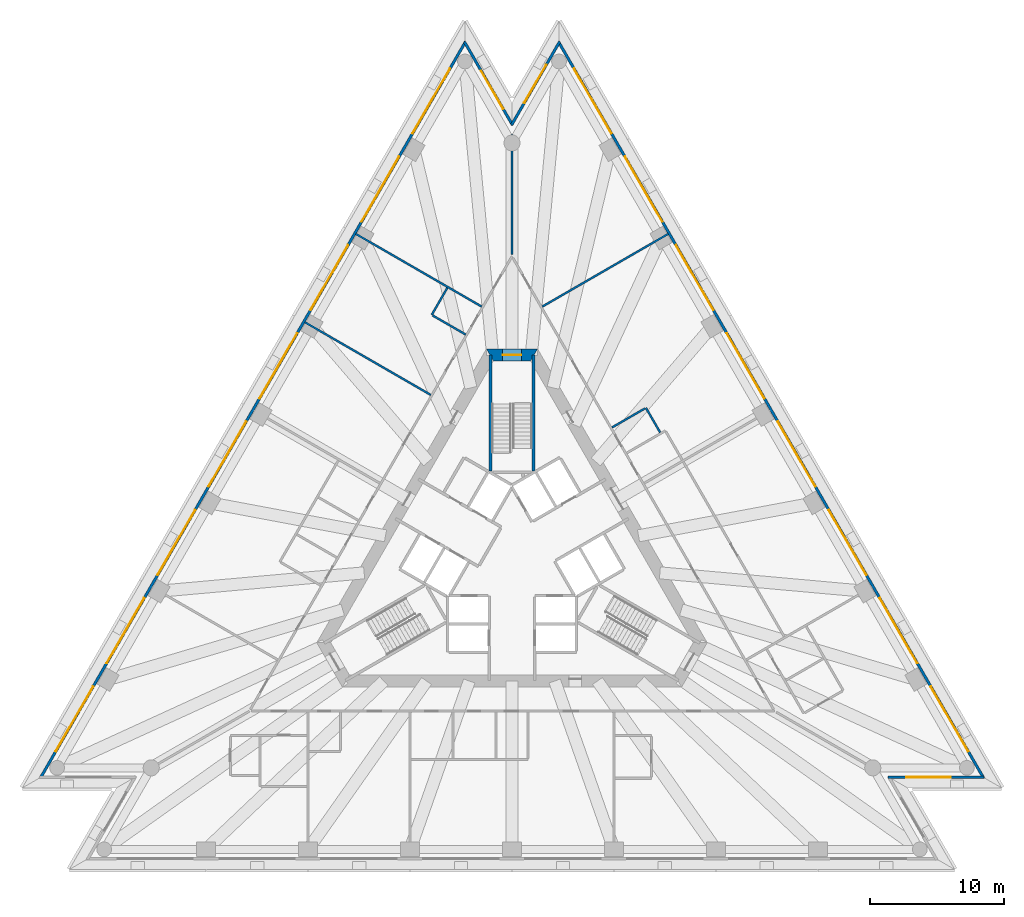
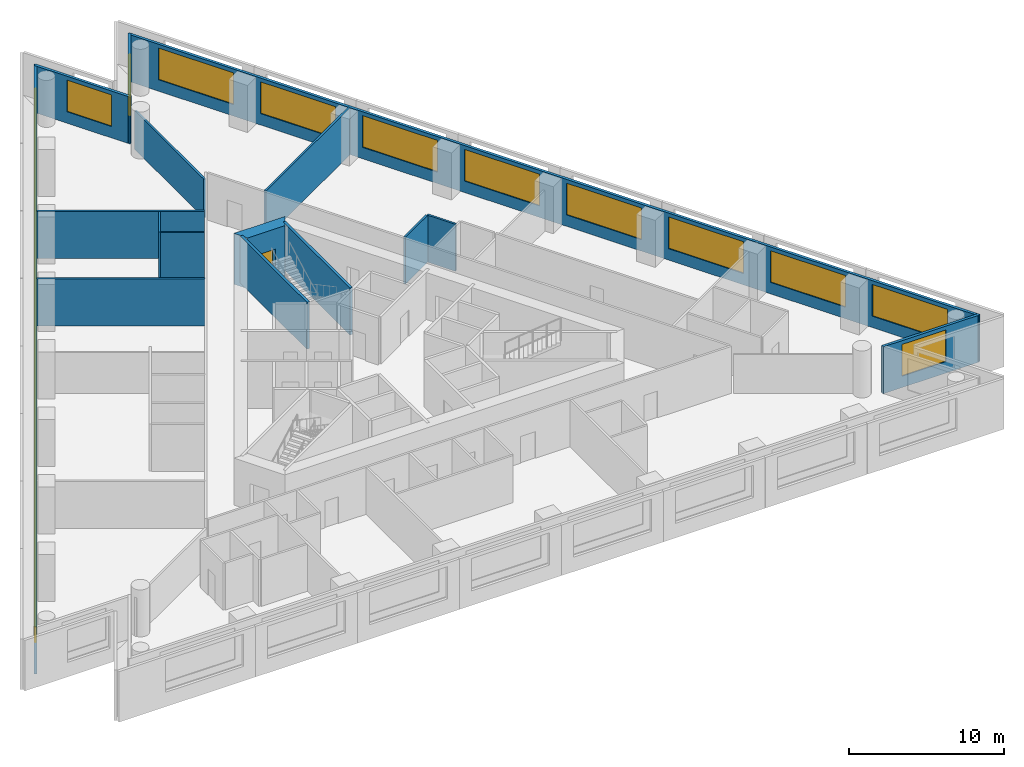
# One storey, part 8 of 11: 19 windows, 16 walls, 1 door, 20 openings.
"""IFC4 building model written with IfcOpenShell, lengths in metres."""

from ifc_helpers import new_model, si_unit, direction, frame, frame_2d, origin, place, context, subcontext, project, spatial, polyline, rectangle, outline, extrude, material, layer, layer_set, layer_usage, type_object, element, fill, save


model = new_model("IFC4")

# Units and contexts
model_context = context("Model", 3, precision=1e-05, world=origin(), true_north=direction((0.0, 1.0)))
body_context = subcontext(model_context, "Body", "Model", "MODEL_VIEW")
ifc_project = project(units=[si_unit("LENGTHUNIT", "METRE"), si_unit("AREAUNIT", "SQUARE_METRE"), si_unit("VOLUMEUNIT", "CUBIC_METRE"), si_unit("PLANEANGLEUNIT", "RADIAN"), si_unit("MASSUNIT", "GRAM", prefix="KILO")], contexts=[model_context])

# Site, building, storey
site_placement = place(None, origin())
site = spatial("IfcSite", under=ifc_project, at=site_placement, CompositionType="ELEMENT")
building_placement = place(site_placement, origin())
building = spatial("IfcBuilding", under=site, at=building_placement, Name="Triada Interchange Tower", CompositionType="ELEMENT")
storey_placement = place(building_placement, frame((0.0, 0.0, 39.300048828125)))
storey = spatial("IfcBuildingStorey", under=building, at=storey_placement, Name="L07", CompositionType="ELEMENT", Elevation=39.300048828125)

# Walls
ifc_material_1 = material(Name="Concrete C30/37", Category="concrete")
ifc_layer_1 = layer(ifc_material_1, 0.199951171875)
ifc_layer_set_1 = layer_set([ifc_layer_1], Name="CORE WALL 200 REI 240")
wall_type_1 = type_object("IfcWallType", Name="CORE WALL 200 REI 240", PredefinedType="SOLIDWALL", material=ifc_layer_set_1)
for number, where, z_axis, x_axis, name in (
    (1, (1.60009765625, 6.614990234375, 0.0), (0.0, 0.0, 1.0), (0.0, 1.0, 0.0), "Wall L06 87"),
    (2, (-1.60009765625, 6.614990234375, 0.0), (0.0, 0.0, 1.0), (0.0, 1.0, 0.0), "Wall L06 89"),
):
    element("IfcWall", number, at=place(storey_placement, frame(where, z_axis=z_axis, x_axis=x_axis)), inside=storey, type_object=wall_type_1, Name=name, PredefinedType="SOLIDWALL", context=body_context, shape_type="SweptSolid", body=[
        extrude(rectangle(XDim=8.614990234375, YDim=0.199951171875, at=frame_2d((4.3076171875, 0.0))), origin(), (0.0, 0.0, 1.0), 3.699951171875),
    ])

# Wall, opening, door
ifc_material_2 = material(Name="Concrete C70/85", Category="concrete")
ifc_layer_2 = layer(ifc_material_2, 0.89990234375)
ifc_layer_set_2 = layer_set([ifc_layer_2], Name="Core wall A 900")
wall_type_2 = type_object("IfcWallType", Name="Core wall A 900", PredefinedType="SHEAR", material=ifc_layer_set_2)
wall_1_placement = place(storey_placement, frame((1.64501953125, 15.25, -0.300048828125), z_axis=(0.0, 0.0, 1.0), x_axis=(-1.0, 0.0, 0.0)))
wall_1 = element("IfcWall", 3, at=wall_1_placement, inside=storey, type_object=wall_type_2, Name="Core wall WA01 L07", PredefinedType="SHEAR", context=body_context, shape_type="SweptSolid", body=[
    extrude(outline(polyline([(-0.260009765625, -0.449951171875), (1.64501953125, -0.449951171875), (3.550048828125, -0.449951171875), (3.031005859375, 0.449951171875), (1.64501953125, 0.449951171875), (0.259033203125, 0.449951171875), (-0.260009765625, -0.449951171875)])), origin(), (0.0, 0.0, 1.0), 4.0),
])
opening_1_placement = place(wall_1_placement, frame((0.945068359375, 0.0, 0.300048828125)))
opening_1 = element("IfcOpeningElement", 4, at=opening_1_placement, cuts=wall_1, Name="Opening D06-41", PredefinedType="OPENING", context=body_context, shape_type="SweptSolid", body=[
    extrude(rectangle(XDim=1.39990234375, YDim=2.10009765625, at=frame_2d((0.699951171875, 1.050048828125))), frame((0.0, 0.4599609375, 0.0), z_axis=(0.0, -1.0, 0.0), x_axis=(1.0, 0.0, 0.0)), (0.0, 0.0, 1.0), 0.919921875),
])
ifc_material_3 = material(Name="Steel S235 door leaf", Category="steel")
door_type = type_object("IfcDoorType", Name="STAIR DOOR 1400 EI2 90-C5S200", OperationType="DOUBLE_DOOR_SINGLE_SWING", PredefinedType="DOOR", material=ifc_material_3)
door_placement = place(opening_1_placement, origin())
door = element("IfcDoor", 5, at=door_placement, inside=storey, type_object=door_type, Name="Door D06-41 L07", OperationType="DOUBLE_DOOR_SINGLE_SWING", OverallHeight=2.10009765625, OverallWidth=1.39990234375, PredefinedType="DOOR", context=body_context, shape_type="SweptSolid", body=[
    extrude(rectangle(XDim=1.39990234375, YDim=2.10009765625, at=frame_2d((0.699951171875, 1.050048828125))), frame((0.0, 0.02490234375, 0.0), z_axis=(0.0, -1.0, 0.0), x_axis=(1.0, 0.0, 0.0)), (0.0, 0.0, 1.0), 0.050048828125),
])
fill(opening_1, door)

# Wall, openings, windows
ifc_material_4 = material(Name="Cement board")
ifc_layer_3 = layer(ifc_material_4, 0.02001953125, Name="Cement board cladding")
ifc_material_5 = material(Name="Sheathing board")
ifc_layer_4 = layer(ifc_material_5, 0.014892578125, Name="Sheathing board")
ifc_material_6 = material(Name="Mineral wool")
ifc_layer_5 = layer(ifc_material_6, 0.14990234375, Name="Mineral wool between steel studs")
ifc_material_7 = material(Name="Gypsum board")
ifc_layer_6 = layer(ifc_material_7, 0.014892578125, Name="Plasterboard lining")
ifc_layer_set_3 = layer_set([ifc_layer_3, ifc_layer_4, ifc_layer_5, ifc_layer_6], Name="External wall 200")
ifc_layer_usage = layer_usage(ifc_layer_set_3, "AXIS2", "POSITIVE", -0.10009765625)
wall_type_3 = type_object("IfcWallType", Name="External wall 200", PredefinedType="ELEMENTEDWALL", material=ifc_layer_set_3)
wall_2_placement = place(storey_placement, frame((-3.4619140625, 38.60302734375, 0.0), z_axis=(0.0, 0.0, 1.0), x_axis=(-0.500012207976, -0.866018355391, 0.0)))
wall_2 = element("IfcWall", 6, at=wall_2_placement, inside=storey, type_object=wall_type_3, material=ifc_layer_usage, Name="External wall L07 NW", PredefinedType="ELEMENTEDWALL", context=body_context, shape_type="SweptSolid", body=[
    extrude(rectangle(XDim=63.380859375, YDim=0.199951171875, at=frame_2d((31.6904296875, 0.0))), origin(), (0.0, 0.0, 1.0), 3.699951171875),
])
opening_2_placement = place(wall_2_placement, frame((2.302001953125, 0.0, 0.89990234375)))
opening_2 = element("IfcOpeningElement", 7, at=opening_2_placement, cuts=wall_2, Name="Opening WA01", PredefinedType="OPENING", context=body_context, shape_type="SweptSolid", body=[
    extrude(rectangle(XDim=5.60009765625, YDim=2.5, at=frame_2d((2.800048828125, 1.25))), frame((0.0, 0.10986328125, 0.0), z_axis=(0.0, -1.0, 0.0), x_axis=(1.0, 0.0, 0.0)), (0.0, 0.0, 1.0), 0.219970703125),
])
opening_3_placement = place(wall_2_placement, frame((9.902099609375, 0.0, 0.89990234375)))
opening_3 = element("IfcOpeningElement", 8, at=opening_3_placement, cuts=wall_2, Name="Opening WA02", PredefinedType="OPENING", context=body_context, shape_type="SweptSolid", body=[
    extrude(rectangle(XDim=5.60009765625, YDim=2.5, at=frame_2d((2.800048828125, 1.25))), frame((0.0, 0.10986328125, 0.0), z_axis=(0.0, -1.0, 0.0), x_axis=(1.0, 0.0, 0.0)), (0.0, 0.0, 1.0), 0.219970703125),
])
opening_4_placement = place(wall_2_placement, frame((17.5009765625, 0.0, 0.89990234375)))
opening_4 = element("IfcOpeningElement", 9, at=opening_4_placement, cuts=wall_2, Name="Opening WA03", PredefinedType="OPENING", context=body_context, shape_type="SweptSolid", body=[
    extrude(rectangle(XDim=5.60009765625, YDim=2.5, at=frame_2d((2.800048828125, 1.25))), frame((0.0, 0.10986328125, 0.0), z_axis=(0.0, -1.0, 0.0), x_axis=(1.0, 0.0, 0.0)), (0.0, 0.0, 1.0), 0.219970703125),
])
opening_5_placement = place(wall_2_placement, frame((25.10009765625, 0.0, 0.89990234375)))
opening_5 = element("IfcOpeningElement", 10, at=opening_5_placement, cuts=wall_2, Name="Opening WA04", PredefinedType="OPENING", context=body_context, shape_type="SweptSolid", body=[
    extrude(rectangle(XDim=5.60009765625, YDim=2.5, at=frame_2d((2.800048828125, 1.25))), frame((0.0, 0.10986328125, 0.0), z_axis=(0.0, -1.0, 0.0), x_axis=(1.0, 0.0, 0.0)), (0.0, 0.0, 1.0), 0.219970703125),
])
opening_6_placement = place(wall_2_placement, frame((32.699951171875, 0.0, 0.89990234375)))
opening_6 = element("IfcOpeningElement", 11, at=opening_6_placement, cuts=wall_2, Name="Opening WA05", PredefinedType="OPENING", context=body_context, shape_type="SweptSolid", body=[
    extrude(rectangle(XDim=5.60009765625, YDim=2.5, at=frame_2d((2.800048828125, 1.25))), frame((0.0, 0.10986328125, 0.0), z_axis=(0.0, -1.0, 0.0), x_axis=(1.0, 0.0, 0.0)), (0.0, 0.0, 1.0), 0.219970703125),
])
opening_7_placement = place(wall_2_placement, frame((40.299072265625, 0.0, 0.89990234375)))
opening_7 = element("IfcOpeningElement", 12, at=opening_7_placement, cuts=wall_2, Name="Opening WA06", PredefinedType="OPENING", context=body_context, shape_type="SweptSolid", body=[
    extrude(rectangle(XDim=5.60009765625, YDim=2.5, at=frame_2d((2.800048828125, 1.25))), frame((0.0, 0.10986328125, 0.0), z_axis=(0.0, -1.0, 0.0), x_axis=(1.0, 0.0, 0.0)), (0.0, 0.0, 1.0), 0.219970703125),
])
opening_8_placement = place(wall_2_placement, frame((47.89892578125, 0.0, 0.89990234375)))
opening_8 = element("IfcOpeningElement", 13, at=opening_8_placement, cuts=wall_2, Name="Opening WA07", PredefinedType="OPENING", context=body_context, shape_type="SweptSolid", body=[
    extrude(rectangle(XDim=5.60009765625, YDim=2.5, at=frame_2d((2.800048828125, 1.25))), frame((0.0, 0.10986328125, 0.0), z_axis=(0.0, -1.0, 0.0), x_axis=(1.0, 0.0, 0.0)), (0.0, 0.0, 1.0), 0.219970703125),
])
opening_9_placement = place(wall_2_placement, frame((55.498046875, 0.0, 0.89990234375)))
opening_9 = element("IfcOpeningElement", 14, at=opening_9_placement, cuts=wall_2, Name="Opening WA08", PredefinedType="OPENING", context=body_context, shape_type="SweptSolid", body=[
    extrude(rectangle(XDim=5.60009765625, YDim=2.5, at=frame_2d((2.800048828125, 1.25))), frame((0.0, 0.10986328125, 0.0), z_axis=(0.0, -1.0, 0.0), x_axis=(1.0, 0.0, 0.0)), (0.0, 0.0, 1.0), 0.219970703125),
])
ifc_material_8 = material(Name="Double glazed aluminium window", Category="aluminium")
window_type_1 = type_object("IfcWindowType", Name="Ribbon window A face", PartitioningType="SINGLE_PANEL", PredefinedType="WINDOW", material=ifc_material_8)
window_1_placement = place(opening_2_placement, origin())
window_1 = element("IfcWindow", 15, at=window_1_placement, inside=storey, type_object=window_type_1, Name="Window L07 NW 1", OverallHeight=2.5, OverallWidth=5.60009765625, PartitioningType="SINGLE_PANEL", PredefinedType="WINDOW", context=body_context, shape_type="SweptSolid", body=[
    extrude(rectangle(XDim=5.60009765625, YDim=2.5, at=frame_2d((2.800048828125, 1.25))), frame((0.0, 0.030029296875, 0.0), z_axis=(0.0, -1.0, 0.0), x_axis=(1.0, 0.0, 0.0)), (0.0, 0.0, 1.0), 0.06005859375),
])
fill(opening_2, window_1)
window_2_placement = place(opening_3_placement, origin())
window_2 = element("IfcWindow", 16, at=window_2_placement, inside=storey, type_object=window_type_1, Name="Window L07 NW 2", OverallHeight=2.5, OverallWidth=5.60009765625, PartitioningType="SINGLE_PANEL", PredefinedType="WINDOW", context=body_context, shape_type="SweptSolid", body=[
    extrude(rectangle(XDim=5.60009765625, YDim=2.5, at=frame_2d((2.800048828125, 1.25))), frame((0.0, 0.030029296875, 0.0), z_axis=(0.0, -1.0, 0.0), x_axis=(1.0, 0.0, 0.0)), (0.0, 0.0, 1.0), 0.06005859375),
])
fill(opening_3, window_2)
window_3_placement = place(opening_4_placement, origin())
window_3 = element("IfcWindow", 17, at=window_3_placement, inside=storey, type_object=window_type_1, Name="Window L07 NW 3", OverallHeight=2.5, OverallWidth=5.60009765625, PartitioningType="SINGLE_PANEL", PredefinedType="WINDOW", context=body_context, shape_type="SweptSolid", body=[
    extrude(rectangle(XDim=5.60009765625, YDim=2.5, at=frame_2d((2.800048828125, 1.25))), frame((0.0, 0.030029296875, 0.0), z_axis=(0.0, -1.0, 0.0), x_axis=(1.0, 0.0, 0.0)), (0.0, 0.0, 1.0), 0.06005859375),
])
fill(opening_4, window_3)
window_4_placement = place(opening_5_placement, origin())
window_4 = element("IfcWindow", 18, at=window_4_placement, inside=storey, type_object=window_type_1, Name="Window L07 NW 4", OverallHeight=2.5, OverallWidth=5.60009765625, PartitioningType="SINGLE_PANEL", PredefinedType="WINDOW", context=body_context, shape_type="SweptSolid", body=[
    extrude(rectangle(XDim=5.60009765625, YDim=2.5, at=frame_2d((2.800048828125, 1.25))), frame((0.0, 0.030029296875, 0.0), z_axis=(0.0, -1.0, 0.0), x_axis=(1.0, 0.0, 0.0)), (0.0, 0.0, 1.0), 0.06005859375),
])
fill(opening_5, window_4)
window_5_placement = place(opening_6_placement, origin())
window_5 = element("IfcWindow", 19, at=window_5_placement, inside=storey, type_object=window_type_1, Name="Window L07 NW 5", OverallHeight=2.5, OverallWidth=5.60009765625, PartitioningType="SINGLE_PANEL", PredefinedType="WINDOW", context=body_context, shape_type="SweptSolid", body=[
    extrude(rectangle(XDim=5.60009765625, YDim=2.5, at=frame_2d((2.800048828125, 1.25))), frame((0.0, 0.030029296875, 0.0), z_axis=(0.0, -1.0, 0.0), x_axis=(1.0, 0.0, 0.0)), (0.0, 0.0, 1.0), 0.06005859375),
])
fill(opening_6, window_5)
window_6_placement = place(opening_7_placement, origin())
window_6 = element("IfcWindow", 20, at=window_6_placement, inside=storey, type_object=window_type_1, Name="Window L07 NW 6", OverallHeight=2.5, OverallWidth=5.60009765625, PartitioningType="SINGLE_PANEL", PredefinedType="WINDOW", context=body_context, shape_type="SweptSolid", body=[
    extrude(rectangle(XDim=5.60009765625, YDim=2.5, at=frame_2d((2.800048828125, 1.25))), frame((0.0, 0.030029296875, 0.0), z_axis=(0.0, -1.0, 0.0), x_axis=(1.0, 0.0, 0.0)), (0.0, 0.0, 1.0), 0.06005859375),
])
fill(opening_7, window_6)
window_7_placement = place(opening_8_placement, origin())
window_7 = element("IfcWindow", 21, at=window_7_placement, inside=storey, type_object=window_type_1, Name="Window L07 NW 7", OverallHeight=2.5, OverallWidth=5.60009765625, PartitioningType="SINGLE_PANEL", PredefinedType="WINDOW", context=body_context, shape_type="SweptSolid", body=[
    extrude(rectangle(XDim=5.60009765625, YDim=2.5, at=frame_2d((2.800048828125, 1.25))), frame((0.0, 0.030029296875, 0.0), z_axis=(0.0, -1.0, 0.0), x_axis=(1.0, 0.0, 0.0)), (0.0, 0.0, 1.0), 0.06005859375),
])
fill(opening_8, window_7)
window_8_placement = place(opening_9_placement, origin())
window_8 = element("IfcWindow", 22, at=window_8_placement, inside=storey, type_object=window_type_1, Name="Window L07 NW 8", OverallHeight=2.5, OverallWidth=5.60009765625, PartitioningType="SINGLE_PANEL", PredefinedType="WINDOW", context=body_context, shape_type="SweptSolid", body=[
    extrude(rectangle(XDim=5.60009765625, YDim=2.5, at=frame_2d((2.800048828125, 1.25))), frame((0.0, 0.030029296875, 0.0), z_axis=(0.0, -1.0, 0.0), x_axis=(1.0, 0.0, 0.0)), (0.0, 0.0, 1.0), 0.06005859375),
])
fill(opening_9, window_8)

# Wall, opening, window
wall_3_placement = place(storey_placement, frame((28.012939453125, -16.22509765625, 0.0), z_axis=(0.0, 0.0, 1.0), x_axis=(1.0, 0.0, 0.0)))
wall_3 = element("IfcWall", 23, at=wall_3_placement, inside=storey, type_object=wall_type_3, material=ifc_layer_usage, Name="External wall L07 SE-2", PredefinedType="ELEMENTEDWALL", context=body_context, shape_type="SweptSolid", body=[
    extrude(rectangle(XDim=7.175048828125, YDim=0.199951171875, at=frame_2d((3.58740234375, 0.0))), origin(), (0.0, 0.0, 1.0), 3.699951171875),
])
opening_10_placement = place(wall_3_placement, frame((1.389892578125, 0.0, 0.89990234375)))
opening_10 = element("IfcOpeningElement", 24, at=opening_10_placement, cuts=wall_3, Name="Opening WA20", PredefinedType="OPENING", context=body_context, shape_type="SweptSolid", body=[
    extrude(rectangle(XDim=3.300048828125, YDim=2.5, at=frame_2d((1.64990234375, 1.25))), frame((0.0, 0.10986328125, 0.0), z_axis=(0.0, -1.0, 0.0), x_axis=(1.0, 0.0, 0.0)), (0.0, 0.0, 1.0), 0.219970703125),
])
window_type_2 = type_object("IfcWindowType", Name="Ribbon window A pocket", PartitioningType="SINGLE_PANEL", PredefinedType="WINDOW", material=ifc_material_8)
window_9_placement = place(opening_10_placement, origin())
window_9 = element("IfcWindow", 25, at=window_9_placement, inside=storey, type_object=window_type_2, Name="Window L07 SE-2 1", OverallHeight=2.5, OverallWidth=3.300048828125, PartitioningType="SINGLE_PANEL", PredefinedType="WINDOW", context=body_context, shape_type="SweptSolid", body=[
    extrude(rectangle(XDim=3.300048828125, YDim=2.5, at=frame_2d((1.64990234375, 1.25))), frame((0.0, 0.030029296875, 0.0), z_axis=(0.0, -1.0, 0.0), x_axis=(1.0, 0.0, 0.0)), (0.0, 0.0, 1.0), 0.06005859375),
])
fill(opening_10, window_9)

# Wall, openings, windows
wall_4_placement = place(storey_placement, frame((35.1630859375, -16.302978515625, 0.0), z_axis=(0.0, 0.0, 1.0), x_axis=(-0.500012207976, 0.866018355391, 0.0)))
wall_4 = element("IfcWall", 26, at=wall_4_placement, inside=storey, type_object=wall_type_3, material=ifc_layer_usage, Name="External wall L07 NE", PredefinedType="ELEMENTEDWALL", context=body_context, shape_type="SweptSolid", body=[
    extrude(rectangle(XDim=63.380859375, YDim=0.199951171875, at=frame_2d((31.6904296875, 0.0))), origin(), (0.0, 0.0, 1.0), 3.699951171875),
])
opening_11_placement = place(wall_4_placement, frame((2.302001953125, 0.0, 0.89990234375)))
opening_11 = element("IfcOpeningElement", 27, at=opening_11_placement, cuts=wall_4, Name="Opening WA21", PredefinedType="OPENING", context=body_context, shape_type="SweptSolid", body=[
    extrude(rectangle(XDim=5.60009765625, YDim=2.5, at=frame_2d((2.800048828125, 1.25))), frame((0.0, 0.10986328125, 0.0), z_axis=(0.0, -1.0, 0.0), x_axis=(1.0, 0.0, 0.0)), (0.0, 0.0, 1.0), 0.219970703125),
])
opening_12_placement = place(wall_4_placement, frame((9.902099609375, 0.0, 0.89990234375)))
opening_12 = element("IfcOpeningElement", 28, at=opening_12_placement, cuts=wall_4, Name="Opening WA22", PredefinedType="OPENING", context=body_context, shape_type="SweptSolid", body=[
    extrude(rectangle(XDim=5.60009765625, YDim=2.5, at=frame_2d((2.800048828125, 1.25))), frame((0.0, 0.10986328125, 0.0), z_axis=(0.0, -1.0, 0.0), x_axis=(1.0, 0.0, 0.0)), (0.0, 0.0, 1.0), 0.219970703125),
])
opening_13_placement = place(wall_4_placement, frame((17.5009765625, 0.0, 0.89990234375)))
opening_13 = element("IfcOpeningElement", 29, at=opening_13_placement, cuts=wall_4, Name="Opening WA23", PredefinedType="OPENING", context=body_context, shape_type="SweptSolid", body=[
    extrude(rectangle(XDim=5.60009765625, YDim=2.5, at=frame_2d((2.800048828125, 1.25))), frame((0.0, 0.10986328125, 0.0), z_axis=(0.0, -1.0, 0.0), x_axis=(1.0, 0.0, 0.0)), (0.0, 0.0, 1.0), 0.219970703125),
])
opening_14_placement = place(wall_4_placement, frame((25.10107421875, 0.0, 0.89990234375)))
opening_14 = element("IfcOpeningElement", 30, at=opening_14_placement, cuts=wall_4, Name="Opening WA24", PredefinedType="OPENING", context=body_context, shape_type="SweptSolid", body=[
    extrude(rectangle(XDim=5.60009765625, YDim=2.5, at=frame_2d((2.800048828125, 1.25))), frame((0.0, 0.10986328125, 0.0), z_axis=(0.0, -1.0, 0.0), x_axis=(1.0, 0.0, 0.0)), (0.0, 0.0, 1.0), 0.219970703125),
])
opening_15_placement = place(wall_4_placement, frame((32.699951171875, 0.0, 0.89990234375)))
opening_15 = element("IfcOpeningElement", 31, at=opening_15_placement, cuts=wall_4, Name="Opening WA25", PredefinedType="OPENING", context=body_context, shape_type="SweptSolid", body=[
    extrude(rectangle(XDim=5.60009765625, YDim=2.5, at=frame_2d((2.800048828125, 1.25))), frame((0.0, 0.10986328125, 0.0), z_axis=(0.0, -1.0, 0.0), x_axis=(1.0, 0.0, 0.0)), (0.0, 0.0, 1.0), 0.219970703125),
])
opening_16_placement = place(wall_4_placement, frame((40.299072265625, 0.0, 0.89990234375)))
opening_16 = element("IfcOpeningElement", 32, at=opening_16_placement, cuts=wall_4, Name="Opening WA26", PredefinedType="OPENING", context=body_context, shape_type="SweptSolid", body=[
    extrude(rectangle(XDim=5.60009765625, YDim=2.5, at=frame_2d((2.800048828125, 1.25))), frame((0.0, 0.10986328125, 0.0), z_axis=(0.0, -1.0, 0.0), x_axis=(1.0, 0.0, 0.0)), (0.0, 0.0, 1.0), 0.219970703125),
])
opening_17_placement = place(wall_4_placement, frame((47.89892578125, 0.0, 0.89990234375)))
opening_17 = element("IfcOpeningElement", 33, at=opening_17_placement, cuts=wall_4, Name="Opening WA27", PredefinedType="OPENING", context=body_context, shape_type="SweptSolid", body=[
    extrude(rectangle(XDim=5.60009765625, YDim=2.5, at=frame_2d((2.800048828125, 1.25))), frame((0.0, 0.10986328125, 0.0), z_axis=(0.0, -1.0, 0.0), x_axis=(1.0, 0.0, 0.0)), (0.0, 0.0, 1.0), 0.219970703125),
])
opening_18_placement = place(wall_4_placement, frame((55.498046875, 0.0, 0.89990234375)))
opening_18 = element("IfcOpeningElement", 34, at=opening_18_placement, cuts=wall_4, Name="Opening WA28", PredefinedType="OPENING", context=body_context, shape_type="SweptSolid", body=[
    extrude(rectangle(XDim=5.60009765625, YDim=2.5, at=frame_2d((2.800048828125, 1.25))), frame((0.0, 0.10986328125, 0.0), z_axis=(0.0, -1.0, 0.0), x_axis=(1.0, 0.0, 0.0)), (0.0, 0.0, 1.0), 0.219970703125),
])
window_10_placement = place(opening_11_placement, origin())
window_10 = element("IfcWindow", 35, at=window_10_placement, inside=storey, type_object=window_type_1, Name="Window L07 NE 1", OverallHeight=2.5, OverallWidth=5.60009765625, PartitioningType="SINGLE_PANEL", PredefinedType="WINDOW", context=body_context, shape_type="SweptSolid", body=[
    extrude(rectangle(XDim=5.60009765625, YDim=2.5, at=frame_2d((2.800048828125, 1.25))), frame((0.0, 0.030029296875, 0.0), z_axis=(0.0, -1.0, 0.0), x_axis=(1.0, 0.0, 0.0)), (0.0, 0.0, 1.0), 0.06005859375),
])
fill(opening_11, window_10)
window_11_placement = place(opening_12_placement, origin())
window_11 = element("IfcWindow", 36, at=window_11_placement, inside=storey, type_object=window_type_1, Name="Window L07 NE 2", OverallHeight=2.5, OverallWidth=5.60009765625, PartitioningType="SINGLE_PANEL", PredefinedType="WINDOW", context=body_context, shape_type="SweptSolid", body=[
    extrude(rectangle(XDim=5.60009765625, YDim=2.5, at=frame_2d((2.800048828125, 1.25))), frame((0.0, 0.030029296875, 0.0), z_axis=(0.0, -1.0, 0.0), x_axis=(1.0, 0.0, 0.0)), (0.0, 0.0, 1.0), 0.06005859375),
])
fill(opening_12, window_11)
window_12_placement = place(opening_13_placement, origin())
window_12 = element("IfcWindow", 37, at=window_12_placement, inside=storey, type_object=window_type_1, Name="Window L07 NE 3", OverallHeight=2.5, OverallWidth=5.60009765625, PartitioningType="SINGLE_PANEL", PredefinedType="WINDOW", context=body_context, shape_type="SweptSolid", body=[
    extrude(rectangle(XDim=5.60009765625, YDim=2.5, at=frame_2d((2.800048828125, 1.25))), frame((0.0, 0.030029296875, 0.0), z_axis=(0.0, -1.0, 0.0), x_axis=(1.0, 0.0, 0.0)), (0.0, 0.0, 1.0), 0.06005859375),
])
fill(opening_13, window_12)
window_13_placement = place(opening_14_placement, origin())
window_13 = element("IfcWindow", 38, at=window_13_placement, inside=storey, type_object=window_type_1, Name="Window L07 NE 4", OverallHeight=2.5, OverallWidth=5.60009765625, PartitioningType="SINGLE_PANEL", PredefinedType="WINDOW", context=body_context, shape_type="SweptSolid", body=[
    extrude(rectangle(XDim=5.60009765625, YDim=2.5, at=frame_2d((2.800048828125, 1.25))), frame((0.0, 0.030029296875, 0.0), z_axis=(0.0, -1.0, 0.0), x_axis=(1.0, 0.0, 0.0)), (0.0, 0.0, 1.0), 0.06005859375),
])
fill(opening_14, window_13)
window_14_placement = place(opening_15_placement, origin())
window_14 = element("IfcWindow", 39, at=window_14_placement, inside=storey, type_object=window_type_1, Name="Window L07 NE 5", OverallHeight=2.5, OverallWidth=5.60009765625, PartitioningType="SINGLE_PANEL", PredefinedType="WINDOW", context=body_context, shape_type="SweptSolid", body=[
    extrude(rectangle(XDim=5.60009765625, YDim=2.5, at=frame_2d((2.800048828125, 1.25))), frame((0.0, 0.030029296875, 0.0), z_axis=(0.0, -1.0, 0.0), x_axis=(1.0, 0.0, 0.0)), (0.0, 0.0, 1.0), 0.06005859375),
])
fill(opening_15, window_14)
window_15_placement = place(opening_16_placement, origin())
window_15 = element("IfcWindow", 40, at=window_15_placement, inside=storey, type_object=window_type_1, Name="Window L07 NE 6", OverallHeight=2.5, OverallWidth=5.60009765625, PartitioningType="SINGLE_PANEL", PredefinedType="WINDOW", context=body_context, shape_type="SweptSolid", body=[
    extrude(rectangle(XDim=5.60009765625, YDim=2.5, at=frame_2d((2.800048828125, 1.25))), frame((0.0, 0.030029296875, 0.0), z_axis=(0.0, -1.0, 0.0), x_axis=(1.0, 0.0, 0.0)), (0.0, 0.0, 1.0), 0.06005859375),
])
fill(opening_16, window_15)
window_16_placement = place(opening_17_placement, origin())
window_16 = element("IfcWindow", 41, at=window_16_placement, inside=storey, type_object=window_type_1, Name="Window L07 NE 7", OverallHeight=2.5, OverallWidth=5.60009765625, PartitioningType="SINGLE_PANEL", PredefinedType="WINDOW", context=body_context, shape_type="SweptSolid", body=[
    extrude(rectangle(XDim=5.60009765625, YDim=2.5, at=frame_2d((2.800048828125, 1.25))), frame((0.0, 0.030029296875, 0.0), z_axis=(0.0, -1.0, 0.0), x_axis=(1.0, 0.0, 0.0)), (0.0, 0.0, 1.0), 0.06005859375),
])
fill(opening_17, window_16)
window_17_placement = place(opening_18_placement, origin())
window_17 = element("IfcWindow", 42, at=window_17_placement, inside=storey, type_object=window_type_1, Name="Window L07 NE 8", OverallHeight=2.5, OverallWidth=5.60009765625, PartitioningType="SINGLE_PANEL", PredefinedType="WINDOW", context=body_context, shape_type="SweptSolid", body=[
    extrude(rectangle(XDim=5.60009765625, YDim=2.5, at=frame_2d((2.800048828125, 1.25))), frame((0.0, 0.030029296875, 0.0), z_axis=(0.0, -1.0, 0.0), x_axis=(1.0, 0.0, 0.0)), (0.0, 0.0, 1.0), 0.06005859375),
])
fill(opening_18, window_17)

# Wall, opening, window
wall_5_placement = place(storey_placement, frame((3.552001953125, 38.60302734375, 0.0), z_axis=(0.0, 0.0, 1.0), x_axis=(-0.499915874128, -0.866073968431, 0.0)))
wall_5 = element("IfcWall", 43, at=wall_5_placement, inside=storey, type_object=wall_type_3, material=ifc_layer_usage, Name="External wall L07 N-1", PredefinedType="ELEMENTEDWALL", context=body_context, shape_type="SweptSolid", body=[
    extrude(rectangle(XDim=7.175048828125, YDim=0.199951171875, at=frame_2d((3.58740234375, 0.0))), origin(), (0.0, 0.0, 1.0), 3.699951171875),
])
opening_19_placement = place(wall_5_placement, frame((1.989990234375, 0.0, 0.89990234375)))
opening_19 = element("IfcOpeningElement", 44, at=opening_19_placement, cuts=wall_5, Name="Opening WA29", PredefinedType="OPENING", context=body_context, shape_type="SweptSolid", body=[
    extrude(rectangle(XDim=3.300048828125, YDim=2.5, at=frame_2d((1.64990234375, 1.25))), frame((0.0, 0.10986328125, 0.0), z_axis=(0.0, -1.0, 0.0), x_axis=(1.0, 0.0, 0.0)), (0.0, 0.0, 1.0), 0.219970703125),
])
window_18_placement = place(opening_19_placement, origin())
window_18 = element("IfcWindow", 45, at=window_18_placement, inside=storey, type_object=window_type_2, Name="Window L07 N-1 1", OverallHeight=2.5, OverallWidth=3.300048828125, PartitioningType="SINGLE_PANEL", PredefinedType="WINDOW", context=body_context, shape_type="SweptSolid", body=[
    extrude(rectangle(XDim=3.300048828125, YDim=2.5, at=frame_2d((1.64990234375, 1.25))), frame((0.0, 0.030029296875, 0.0), z_axis=(0.0, -1.0, 0.0), x_axis=(1.0, 0.0, 0.0)), (0.0, 0.0, 1.0), 0.06005859375),
])
fill(opening_19, window_18)

wall_6_placement = place(storey_placement, frame((0.044921875, 32.3720703125, 0.0), z_axis=(0.0, 0.0, 1.0), x_axis=(-0.499930606701, 0.866065464318, 0.0)))
wall_6 = element("IfcWall", 46, at=wall_6_placement, inside=storey, type_object=wall_type_3, material=ifc_layer_usage, Name="External wall L07 N-2", PredefinedType="ELEMENTEDWALL", context=body_context, shape_type="SweptSolid", body=[
    extrude(rectangle(XDim=7.1748046875, YDim=0.199951171875, at=frame_2d((3.58740234375, 0.0))), origin(), (0.0, 0.0, 1.0), 3.699951171875),
])
opening_20_placement = place(wall_6_placement, frame((1.389892578125, 0.0, 0.89990234375)))
opening_20 = element("IfcOpeningElement", 47, at=opening_20_placement, cuts=wall_6, Name="Opening WA30", PredefinedType="OPENING", context=body_context, shape_type="SweptSolid", body=[
    extrude(rectangle(XDim=3.300048828125, YDim=2.5, at=frame_2d((1.64990234375, 1.25))), frame((0.0, 0.10986328125, 0.0), z_axis=(0.0, -1.0, 0.0), x_axis=(1.0, 0.0, 0.0)), (0.0, 0.0, 1.0), 0.219970703125),
])
window_19_placement = place(opening_20_placement, origin())
window_19 = element("IfcWindow", 48, at=window_19_placement, inside=storey, type_object=window_type_2, Name="Window L07 N-2 1", OverallHeight=2.5, OverallWidth=3.300048828125, PartitioningType="SINGLE_PANEL", PredefinedType="WINDOW", context=body_context, shape_type="SweptSolid", body=[
    extrude(rectangle(XDim=3.300048828125, YDim=2.5, at=frame_2d((1.64990234375, 1.25))), frame((0.0, 0.030029296875, 0.0), z_axis=(0.0, -1.0, 0.0), x_axis=(1.0, 0.0, 0.0)), (0.0, 0.0, 1.0), 0.06005859375),
])
fill(opening_20, window_19)

# Walls
ifc_material_9 = material(Name="Gypsum board partition")
ifc_layer_7 = layer(ifc_material_9, 0.14990234375)
ifc_layer_set_4 = layer_set([ifc_layer_7], Name="PARTITION 150 EI 180")
wall_type_4 = type_object("IfcWallType", Name="PARTITION 150 EI 180", PredefinedType="PARTITIONING", material=ifc_layer_set_4)
wall_7_placement = place(storey_placement, frame((-15.443115234375, 17.69091796875, 0.0), z_axis=(0.0, 0.0, 1.0), x_axis=(0.866051380023, -0.499955005135, 0.0)))
element("IfcWall", 49, at=wall_7_placement, inside=storey, type_object=wall_type_4, Name="Wall L06 11", PredefinedType="PARTITIONING", context=body_context, shape_type="SweptSolid", body=[
    extrude(rectangle(XDim=10.8447265625, YDim=0.14990234375, at=frame_2d((5.42236328125, 0.0))), origin(), (0.0, 0.0, 1.0), 3.699951171875),
])
wall_8_placement = place(storey_placement, frame((-11.64306640625, 24.27197265625, 0.0), z_axis=(0.0, 0.0, 1.0), x_axis=(0.866028869058, -0.499993997921, 0.0)))
element("IfcWall", 50, at=wall_8_placement, inside=storey, type_object=wall_type_4, Name="Wall L06 16", PredefinedType="PARTITIONING", context=body_context, shape_type="SweptSolid", body=[
    extrude(rectangle(XDim=10.843994140625, YDim=0.14990234375, at=frame_2d((5.421875, 0.0))), origin(), (0.0, 0.0, 1.0), 3.699951171875),
])
wall_9_placement = place(storey_placement, frame((-5.985107421875, 18.23388671875, 0.0), z_axis=(0.0, 0.0, 1.0), x_axis=(0.500067724834, 0.865986299303, 0.0)))
element("IfcWall", 51, at=wall_9_placement, inside=storey, type_object=wall_type_4, Name="Wall L06 19", PredefinedType="PARTITIONING", context=body_context, shape_type="SweptSolid", body=[
    extrude(rectangle(XDim=2.325927734375, YDim=0.14990234375, at=frame_2d((1.1630859375, 0.0))), origin(), (0.0, 0.0, 1.0), 3.699951171875),
])
wall_10_placement = place(storey_placement, frame((-5.919921875, 18.196044921875, 0.0), z_axis=(0.0, 0.0, 1.0), x_axis=(0.866004402611, -0.500036373335, 0.0)))
element("IfcWall", 52, at=wall_10_placement, inside=storey, type_object=wall_type_4, Name="Wall L06 20", PredefinedType="PARTITIONING", context=body_context, shape_type="SweptSolid", body=[
    extrude(rectangle(XDim=2.849853515625, YDim=0.14990234375, at=frame_2d((1.4248046875, 0.0))), origin(), (0.0, 0.0, 1.0), 3.699951171875),
])
wall_11_placement = place(storey_placement, frame((0.0, 22.75, 0.0), z_axis=(0.0, 0.0, 1.0), x_axis=(0.0, 1.0, 0.0)))
element("IfcWall", 53, at=wall_11_placement, inside=storey, type_object=wall_type_4, Name="Wall L06 24", PredefinedType="PARTITIONING", context=body_context, shape_type="SweptSolid", body=[
    extrude(rectangle(XDim=8.919921875, YDim=0.14990234375, at=frame_2d((4.4599609375, 0.0))), origin(), (0.0, 0.0, 1.0), 3.050048828125),
])
wall_12_placement = place(storey_placement, frame((2.251953125, 18.85009765625, 0.0), z_axis=(0.0, 0.0, 1.0), x_axis=(0.866028869058, 0.499993997921, 0.0)))
element("IfcWall", 54, at=wall_12_placement, inside=storey, type_object=wall_type_4, Name="Wall L06 26", PredefinedType="PARTITIONING", context=body_context, shape_type="SweptSolid", body=[
    extrude(rectangle(XDim=10.843994140625, YDim=0.14990234375, at=frame_2d((5.421875, 0.0))), origin(), (0.0, 0.0, 1.0), 3.699951171875),
])
wall_13_placement = place(storey_placement, frame((9.98388671875, 11.306884765625, 0.0), z_axis=(0.0, 0.0, 1.0), x_axis=(0.500352247806, -0.86582193788, 0.0)))
element("IfcWall", 55, at=wall_13_placement, inside=storey, type_object=wall_type_4, Name="Wall L06 27", PredefinedType="PARTITIONING", context=body_context, shape_type="SweptSolid", body=[
    extrude(rectangle(XDim=2.125, YDim=0.14990234375, at=frame_2d((1.0625, 0.0))), origin(), (0.0, 0.0, 1.0), 3.699951171875),
])
wall_14_placement = place(storey_placement, frame((7.450927734375, 9.843994140625, 0.0), z_axis=(0.0, 0.0, 1.0), x_axis=(0.866004402611, 0.500036373335, 0.0)))
element("IfcWall", 56, at=wall_14_placement, inside=storey, type_object=wall_type_4, Name="Wall L06 28", PredefinedType="PARTITIONING", context=body_context, shape_type="SweptSolid", body=[
    extrude(rectangle(XDim=2.849853515625, YDim=0.14990234375, at=frame_2d((1.4248046875, 0.0))), origin(), (0.0, 0.0, 1.0), 3.699951171875),
])

save(model, "model.ifc")
